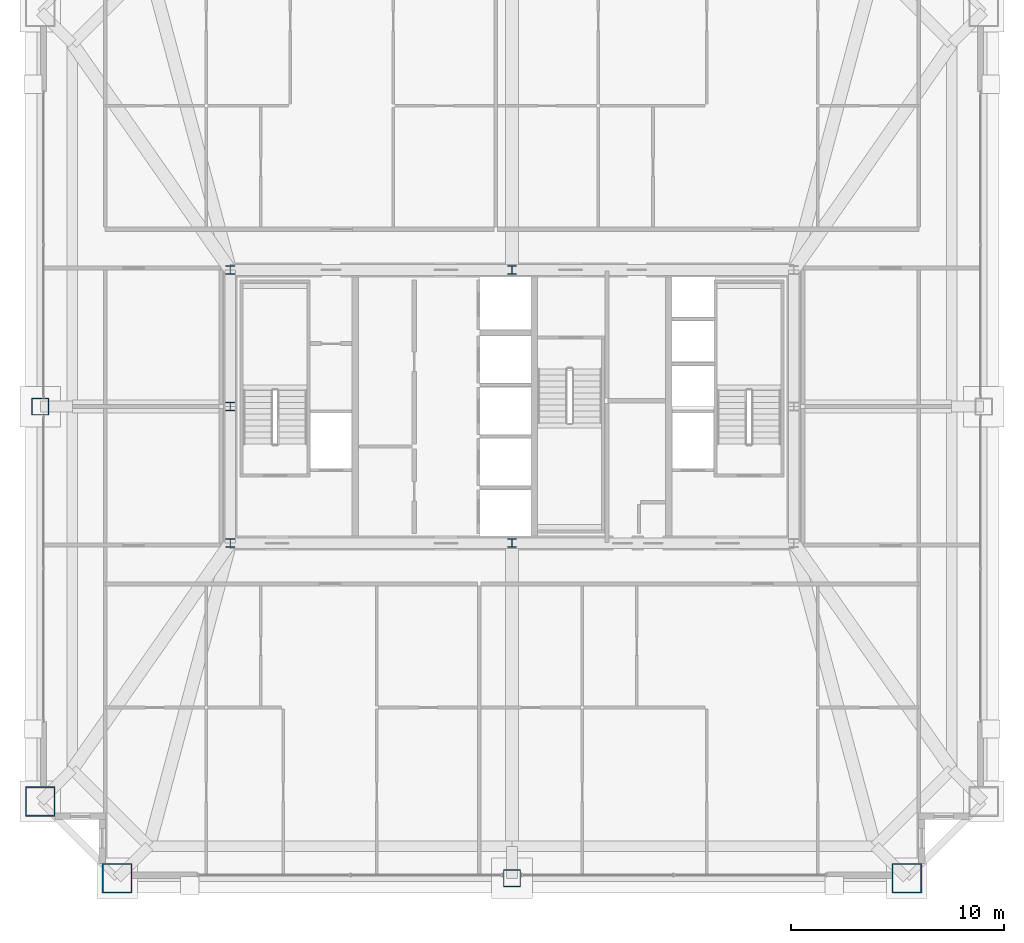
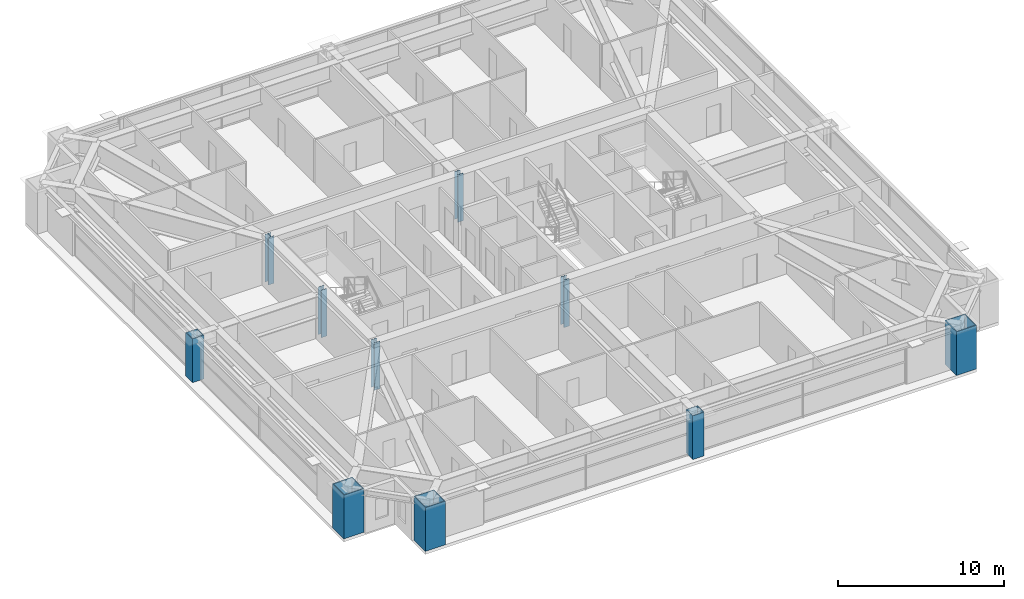
# One storey, part 1 of 39: 10 columns.
"""IFC4 building model written with IfcOpenShell, lengths in metres."""

from ifc_helpers import new_model, si_unit, direction, frame, origin, origin_2d, place, context, subcontext, project, spatial, hollow_rectangle, i_section, extrude, source, transform, mapped, material, material_profile, profile_set, type_object, element, save


model = new_model("IFC4")

# Units and contexts
model_context = context("Model", 3, precision=1e-05, world=origin(), true_north=direction((0.0, 1.0)))
body_context = subcontext(model_context, "Body", "Model", "MODEL_VIEW")
ifc_project = project(units=[si_unit("LENGTHUNIT", "METRE"), si_unit("AREAUNIT", "SQUARE_METRE"), si_unit("VOLUMEUNIT", "CUBIC_METRE"), si_unit("PLANEANGLEUNIT", "RADIAN"), si_unit("MASSUNIT", "GRAM", prefix="KILO"), si_unit("THERMODYNAMICTEMPERATUREUNIT", "KELVIN"), si_unit("POWERUNIT", "WATT")], contexts=[model_context])

# Site, building, storey
site_placement = place(None, origin())
site = spatial("IfcSite", under=ifc_project, at=site_placement, CompositionType="ELEMENT")
building_placement = place(site_placement, origin())
building = spatial("IfcBuilding", under=site, at=building_placement, Name="Yuzanri Waterfront Tower", CompositionType="ELEMENT")
storey_placement = place(building_placement, frame((0.0, 0.0, 216.0)))
storey = spatial("IfcBuildingStorey", under=building, at=storey_placement, Name="L57", CompositionType="ELEMENT", Elevation=216.0)

# Columns
ifc_material_1 = material(Name="Steel Q355B", Category="steel")
ifc_material_profile_1 = material_profile(ifc_material_1, i_section(OverallWidth=0.39990234375, OverallDepth=0.39990234375, WebThickness=0.012939453125, FlangeThickness=0.02099609375, at=origin_2d()), Name="HW 400x400x13x21")
ifc_profile_set_1 = profile_set([ifc_material_profile_1], Name="Steel Q355B")
column_type_1 = type_object("IfcColumnType", Name="Core Post Q355B HW 400x400x13x21", PredefinedType="COLUMN", material=ifc_profile_set_1)
shared_shape_1 = source(origin(), body_context, "Body", "SweptSolid", [
    extrude(i_section(OverallWidth=0.39990234375, OverallDepth=0.39990234375, WebThickness=0.012939453125, FlangeThickness=0.02099609375, at=origin_2d()), origin(), (0.0, 0.0, 1.0), 3.5),
])
for number, where, z_axis, x_axis, name in (
    (1, (23.800048828125, 19.39990234375, 0.0), (0.0, 0.0, 1.0), (1.0, 0.0, 0.0), "L57 Core Boundary Column CP1"),
    (2, (37.0, 19.39990234375, 0.0), (0.0, 0.0, 1.0), (1.0, 0.0, 0.0), "L57 Core Boundary Column CP2"),
    (3, (23.800048828125, 25.800048828125, 0.0), (0.0, 0.0, 1.0), (1.0, 0.0, 0.0), "L57 Core Boundary Column CP4"),
    (4, (23.800048828125, 32.199951171875, 0.0), (0.0, 0.0, 1.0), (1.0, 0.0, 0.0), "L57 Core Boundary Column CP6"),
    (5, (37.0, 32.199951171875, 0.0), (0.0, 0.0, 1.0), (1.0, 0.0, 0.0), "L57 Core Boundary Column CP7"),
):
    element("IfcColumn", number, at=place(storey_placement, frame(where, z_axis=z_axis, x_axis=x_axis)), inside=storey, type_object=column_type_1, Name=name, PredefinedType="COLUMN", context=body_context, shape_type="MappedRepresentation", body=[
        mapped(shared_shape_1, transform((0.0, 0.0, 0.0), scale=1.0)),
    ])
ifc_material_2 = material(Name="Steel Q420GJC", Category="steel")
ifc_material_profile_2 = material_profile(ifc_material_2, hollow_rectangle(XDim=1.39990234375, YDim=1.39990234375, WallThickness=0.06005859375, at=origin_2d()), Name="RHS 1400x1400x60")
ifc_profile_set_2 = profile_set([ifc_material_profile_2], Name="Steel Q420GJC")
column_type_2 = type_object("IfcColumnType", Name="Mega Column Q420GJC RHS 1400x1400x60", PredefinedType="COLUMN", material=ifc_profile_set_2)
shared_shape_2 = source(origin(), body_context, "Body", "SweptSolid", [
    extrude(hollow_rectangle(XDim=1.39990234375, YDim=1.39990234375, WallThickness=0.06005859375, at=origin_2d()), origin(), (0.0, 0.0, 1.0), 3.219970703125),
])
for number, where, z_axis, x_axis, name in (
    (6, (18.5, 3.699951171875, 0.0), (0.0, 0.0, 1.0), (1.0, 0.0, 0.0), "L57 Perimeter Mega Column S1"),
    (7, (55.5, 3.699951171875, 0.0), (0.0, 0.0, 1.0), (1.0, 0.0, 0.0), "L57 Perimeter Mega Column S3"),
    (8, (14.89990234375, 7.300048828125, 0.0), (0.0, 0.0, 1.0), (1.0, 0.0, 0.0), "L57 Perimeter Mega Column W1"),
):
    element("IfcColumn", number, at=place(storey_placement, frame(where, z_axis=z_axis, x_axis=x_axis)), inside=storey, type_object=column_type_2, Name=name, PredefinedType="COLUMN", context=body_context, shape_type="MappedRepresentation", body=[
        mapped(shared_shape_2, transform((0.0, 0.0, 0.0), scale=1.0)),
    ])
ifc_material_3 = material(Name="Steel Q390GJC", Category="steel")
ifc_material_profile_3 = material_profile(ifc_material_3, hollow_rectangle(XDim=0.800048828125, YDim=0.800048828125, WallThickness=0.035888671875, at=origin_2d()), Name="RHS 800x800x36")
ifc_profile_set_3 = profile_set([ifc_material_profile_3], Name="Steel Q390GJC")
column_type_3 = type_object("IfcColumnType", Name="Frame Column Q390GJC RHS 800x800x36", PredefinedType="COLUMN", material=ifc_profile_set_3)
shared_shape_3 = source(origin(), body_context, "Body", "SweptSolid", [
    extrude(hollow_rectangle(XDim=0.800048828125, YDim=0.800048828125, WallThickness=0.035888671875, at=origin_2d()), origin(), (0.0, 0.0, 1.0), 3.219970703125),
])
for number, where, z_axis, x_axis, name in (
    (9, (37.0, 3.699951171875, 0.0), (0.0, 0.0, 1.0), (1.0, 0.0, 0.0), "L57 Perimeter Frame Column S2"),
    (10, (14.89990234375, 25.800048828125, 0.0), (0.0, 0.0, 1.0), (1.0, 0.0, 0.0), "L57 Perimeter Frame Column W2"),
):
    element("IfcColumn", number, at=place(storey_placement, frame(where, z_axis=z_axis, x_axis=x_axis)), inside=storey, type_object=column_type_3, Name=name, PredefinedType="COLUMN", context=body_context, shape_type="MappedRepresentation", body=[
        mapped(shared_shape_3, transform((0.0, 0.0, 0.0), scale=1.0)),
    ])

save(model, "model.ifc")
